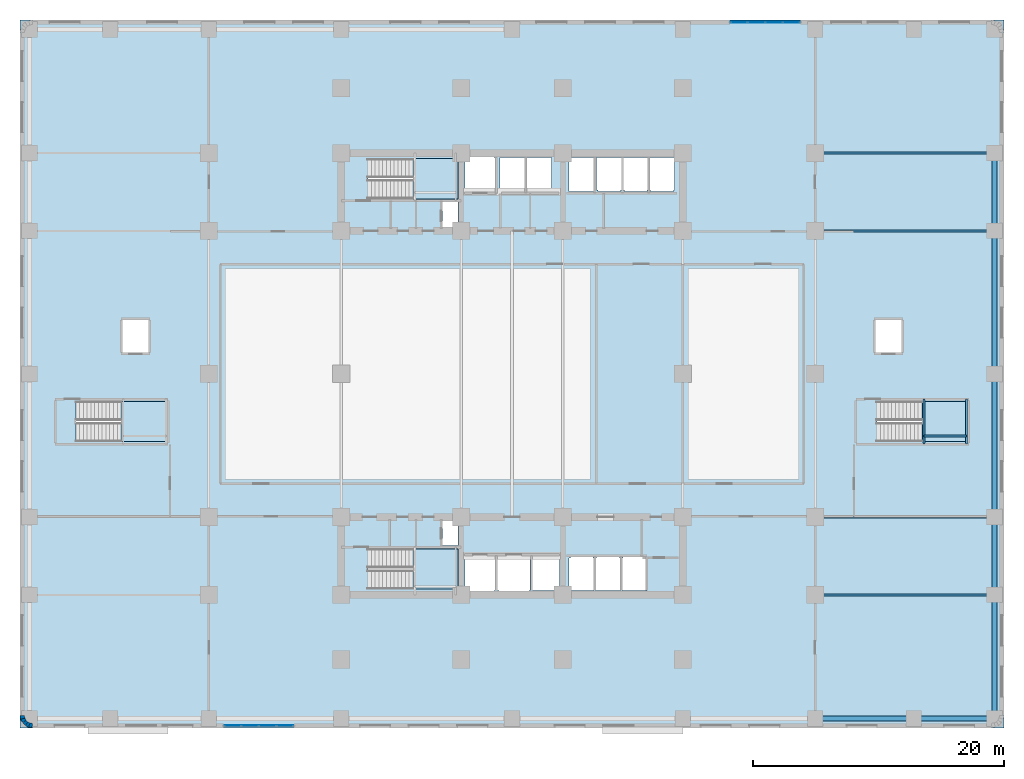
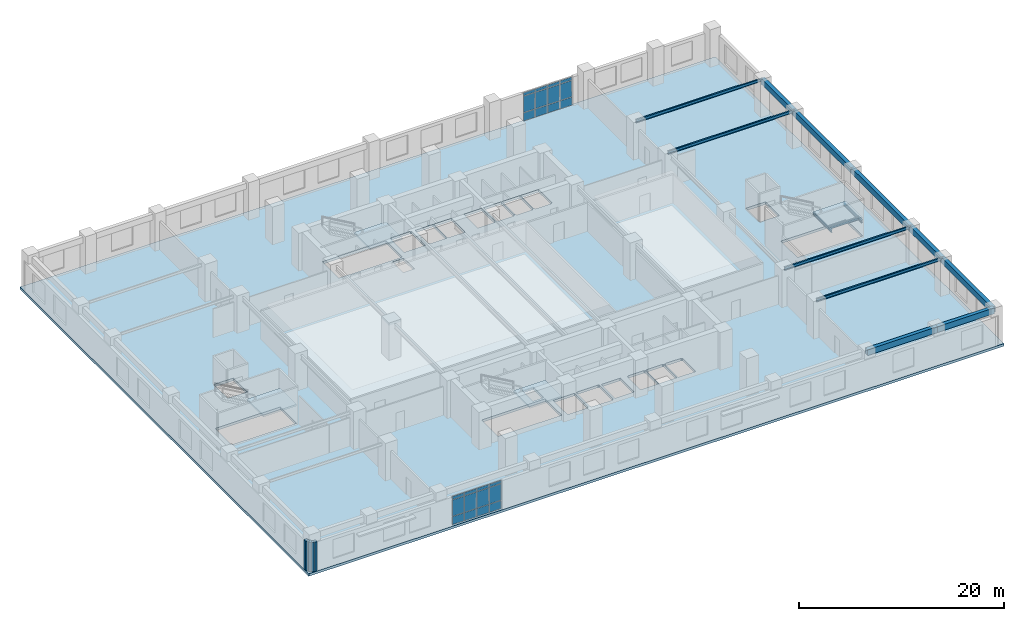
# One storey, part 5 of 14: 24 plates, 14 beams, 5 slabs, 5 walls, 6 elements without a shape of their own.
"""IFC4 building model written with IfcOpenShell, lengths in metres."""

from ifc_helpers import new_model, si_unit, direction, frame, frame_2d, origin, origin_2d, place, context, subcontext, project, spatial, polyline, rectangle, i_section, outline, extrude, material, layer, layer_set, material_profile, profile_set, type_object, element, aggregate, save


model = new_model("IFC4")

# Units and contexts
model_context = context("Model", 3, precision=1e-05, world=origin(), true_north=direction((0.0, 1.0)))
body_context = subcontext(model_context, "Body", "Model", "MODEL_VIEW")
ifc_project = project(units=[si_unit("LENGTHUNIT", "METRE"), si_unit("AREAUNIT", "SQUARE_METRE"), si_unit("VOLUMEUNIT", "CUBIC_METRE"), si_unit("PLANEANGLEUNIT", "RADIAN"), si_unit("MASSUNIT", "GRAM", prefix="KILO")], contexts=[model_context])

# Site, building, storey
site_placement = place(None, origin())
site = spatial("IfcSite", under=ifc_project, at=site_placement, CompositionType="ELEMENT")
building_placement = place(site_placement, origin())
building = spatial("IfcBuilding", under=site, at=building_placement, Name="Svetorya Sky Lyceum", CompositionType="ELEMENT")
storey_placement = place(building_placement, frame((0.0, 0.0, 15.60009765625)))
storey = spatial("IfcBuildingStorey", under=building, at=storey_placement, Name="L03", CompositionType="ELEMENT", Elevation=15.60009765625)

# Beams
ifc_material_1 = material(Name="Concrete C50/60", Category="concrete")
ifc_material_profile_1 = material_profile(ifc_material_1, rectangle(XDim=0.39990234375, YDim=0.699951171875, at=origin_2d()), Name="RC SPANDREL 400x700")
ifc_profile_set_1 = profile_set([ifc_material_profile_1], Name="Concrete C50/60")
beam_type_1 = type_object("IfcBeamType", Name="BM-SPN-700", PredefinedType="SPANDREL", material=ifc_profile_set_1)
beam_1_placement = place(storey_placement, frame((63.35009765625, 0.75, 3.849853515625), z_axis=(1.0, 0.0, 0.0), x_axis=(0.0, 1.0, 0.0)))
element("IfcBeam", 1, at=beam_1_placement, inside=storey, type_object=beam_type_1, Name="L03 Podium South Spandrel 7", PredefinedType="SPANDREL", context=body_context, shape_type="SweptSolid", body=[
    extrude(rectangle(XDim=0.39990234375, YDim=0.699951171875, at=origin_2d()), origin(), (0.0, 0.0, 1.0), 7.849853515625),
])
beam_2_placement = place(storey_placement, frame((71.199951171875, 0.75, 3.849853515625), z_axis=(1.0, 0.0, 0.0), x_axis=(0.0, 1.0, 0.0)))
element("IfcBeam", 2, at=beam_2_placement, inside=storey, type_object=beam_type_1, Name="L03 Podium South Spandrel 8", PredefinedType="SPANDREL", context=body_context, shape_type="SweptSolid", body=[
    extrude(rectangle(XDim=0.39990234375, YDim=0.699951171875, at=origin_2d()), origin(), (0.0, 0.0, 1.0), 6.449951171875),
])
beam_3_placement = place(storey_placement, frame((77.64990234375, 0.75, 3.849853515625), z_axis=(0.0, 1.0, 0.0), x_axis=(-1.0, 0.0, 0.0)))
element("IfcBeam", 3, at=beam_3_placement, inside=storey, type_object=beam_type_1, Name="L03 Podium East Spandrel 1", PredefinedType="SPANDREL", context=body_context, shape_type="SweptSolid", body=[
    extrude(rectangle(XDim=0.39990234375, YDim=0.699951171875, at=origin_2d()), origin(), (0.0, 0.0, 1.0), 9.85009765625),
])
beam_4_placement = place(storey_placement, frame((77.64990234375, 10.60009765625, 3.849853515625), z_axis=(0.0, 1.0, 0.0), x_axis=(-1.0, 0.0, 0.0)))
element("IfcBeam", 4, at=beam_4_placement, inside=storey, type_object=beam_type_1, Name="L03 Podium East Spandrel 2", PredefinedType="SPANDREL", context=body_context, shape_type="SweptSolid", body=[
    extrude(rectangle(XDim=0.39990234375, YDim=0.699951171875, at=origin_2d()), origin(), (0.0, 0.0, 1.0), 6.199951171875),
])
beam_5_placement = place(storey_placement, frame((77.64990234375, 16.800048828125, 3.849853515625), z_axis=(0.0, 1.0, 0.0), x_axis=(-1.0, 0.0, 0.0)))
element("IfcBeam", 5, at=beam_5_placement, inside=storey, type_object=beam_type_1, Name="L03 Podium East Spandrel 3", PredefinedType="SPANDREL", context=body_context, shape_type="SweptSolid", body=[
    extrude(rectangle(XDim=0.39990234375, YDim=0.699951171875, at=origin_2d()), origin(), (0.0, 0.0, 1.0), 11.39990234375),
])
beam_6_placement = place(storey_placement, frame((77.64990234375, 28.199951171875, 3.849853515625), z_axis=(0.0, 1.0, 0.0), x_axis=(-1.0, 0.0, 0.0)))
element("IfcBeam", 6, at=beam_6_placement, inside=storey, type_object=beam_type_1, Name="L03 Podium East Spandrel 4", PredefinedType="SPANDREL", context=body_context, shape_type="SweptSolid", body=[
    extrude(rectangle(XDim=0.39990234375, YDim=0.699951171875, at=origin_2d()), origin(), (0.0, 0.0, 1.0), 11.400146484375),
])
beam_7_placement = place(storey_placement, frame((77.64990234375, 39.60009765625, 3.849853515625), z_axis=(0.0, 1.0, 0.0), x_axis=(-1.0, 0.0, 0.0)))
element("IfcBeam", 7, at=beam_7_placement, inside=storey, type_object=beam_type_1, Name="L03 Podium East Spandrel 5", PredefinedType="SPANDREL", context=body_context, shape_type="SweptSolid", body=[
    extrude(rectangle(XDim=0.39990234375, YDim=0.699951171875, at=origin_2d()), origin(), (0.0, 0.0, 1.0), 6.199951171875),
])
ifc_material_2 = material(Name="Steel S355", Category="steel")
ifc_material_profile_2 = material_profile(ifc_material_2, i_section(OverallWidth=0.14990234375, OverallDepth=0.299072265625, WebThickness=0.006591796875, FlangeThickness=0.010498046875, at=origin_2d()), Name="GOST 30B2")
ifc_profile_set_2 = profile_set([ifc_material_profile_2], Name="Steel S355")
beam_type_2 = type_object("IfcBeamType", Name="BM-STL-30B2", PredefinedType="JOIST", material=ifc_profile_set_2)
for number, where, z_axis, x_axis, name in (
    (8, (72.030029296875, 22.60009765625, 1.900390625), (0.0, 1.0, 0.0), (-1.0, 0.0, 0.0), "L03 Stair ST-SCH-E Half-Landing Support Beam 4.1"),
    (9, (75.419921875, 22.60009765625, 1.900390625), (0.0, 1.0, 0.0), (-1.0, 0.0, 0.0), "L03 Stair ST-SCH-E Half-Landing Support Beam 4.2"),
):
    element("IfcBeam", number, at=place(storey_placement, frame(where, z_axis=z_axis, x_axis=x_axis)), inside=storey, type_object=beam_type_2, Name=name, PredefinedType="JOIST", context=body_context, shape_type="SweptSolid", body=[
        extrude(i_section(OverallWidth=0.14990234375, OverallDepth=0.299072265625, WebThickness=0.006591796875, FlangeThickness=0.010498046875, at=origin_2d()), origin(), (0.0, 0.0, 1.0), 3.599853515625),
    ])
beam_8_placement = place(storey_placement, frame((72.030029296875, 23.25, 1.900390625), z_axis=(1.0, 0.0, 0.0), x_axis=(0.0, 1.0, 0.0)))
element("IfcBeam", 10, at=beam_8_placement, inside=storey, type_object=beam_type_2, Name="L03 Stair ST-SCH-E Half-Landing Cross Tie 4", PredefinedType="JOIST", context=body_context, shape_type="SweptSolid", body=[
    extrude(i_section(OverallWidth=0.14990234375, OverallDepth=0.299072265625, WebThickness=0.006591796875, FlangeThickness=0.010498046875, at=origin_2d()), origin(), (0.0, 0.0, 1.0), 3.389892578125),
])
ifc_material_profile_3 = material_profile(ifc_material_2, i_section(OverallWidth=0.155029296875, OverallDepth=0.34912109375, WebThickness=0.007080078125, FlangeThickness=0.011474609375, at=origin_2d()), Name="GOST 35B2")
ifc_profile_set_3 = profile_set([ifc_material_profile_3], Name="Steel S355")
beam_type_3 = type_object("IfcBeamType", Name="BM-STL-35B2", PredefinedType="JOIST", material=ifc_profile_set_3)
for number, where, z_axis, x_axis, name in (
    (11, (63.35009765625, 10.60009765625, 4.025390625), (1.0, 0.0, 0.0), (0.0, 1.0, 0.0), "L03 Podium Wing Joist E1"),
    (12, (63.35009765625, 16.800048828125, 4.025390625), (1.0, 0.0, 0.0), (0.0, 1.0, 0.0), "L03 Podium Wing Joist E2"),
    (13, (63.35009765625, 39.60009765625, 4.025390625), (1.0, 0.0, 0.0), (0.0, 1.0, 0.0), "L03 Podium Wing Joist E3"),
    (14, (63.35009765625, 45.800048828125, 4.025390625), (1.0, 0.0, 0.0), (0.0, 1.0, 0.0), "L03 Podium Wing Joist E4"),
):
    element("IfcBeam", number, at=place(storey_placement, frame(where, z_axis=z_axis, x_axis=x_axis)), inside=storey, type_object=beam_type_3, Name=name, PredefinedType="JOIST", context=body_context, shape_type="SweptSolid", body=[
        extrude(i_section(OverallWidth=0.155029296875, OverallDepth=0.34912109375, WebThickness=0.007080078125, FlangeThickness=0.011474609375, at=origin_2d()), origin(), (0.0, 0.0, 1.0), 14.2998046875),
    ])

# Curtain wall, plates
ifc_material_3 = material(Name="Thermally broken anodized aluminium and triple low-E glass", Category="aluminium")
curtain_wall_type = type_object("IfcCurtainWallType", Name="CW2-SCH-RIB", PredefinedType="NOTDEFINED", material=ifc_material_3)
curtain_wall_1_placement = place(storey_placement, origin())
curtain_wall_1 = element("IfcCurtainWall", 15, at=curtain_wall_1_placement, inside=storey, type_object=curtain_wall_type, Name="L03 Lyceum Classroom Ribbon Curtain Wall 6", PredefinedType="NOTDEFINED")
ifc_material_4 = material(Name="Triple insulated low-E solar-control glass", Category="glass")
ifc_layer_1 = layer(ifc_material_4, 0.048095703125)
ifc_layer_set_1 = layer_set([ifc_layer_1], Name="Triple insulated low-E solar-control glass")
plate_type = type_object("IfcPlateType", Name="CWP-GLZ-48", PredefinedType="CURTAIN_PANEL", material=ifc_layer_set_1)
plate_1_placement = place(storey_placement, frame((16.9462890625, 0.179931640625, 0.0634765625), z_axis=(0.0, 0.0, 1.0), x_axis=(1.0, 0.0, 0.0)))
plate_1 = element("IfcPlate", 16, at=plate_1_placement, type_object=plate_type, Name="CW-2 panel 1.1", PredefinedType="CURTAIN_PANEL", context=body_context, shape_type="SweptSolid", body=[
    extrude(rectangle(XDim=1.305419921875, YDim=0.048095703125, at=origin_2d()), origin(), (0.0, 0.0, 1.0), 0.949462890625),
])
plate_2_placement = place(storey_placement, frame((16.9462890625, 0.179931640625, 1.07470703125), z_axis=(0.0, 0.0, 1.0), x_axis=(1.0, 0.0, 0.0)))
plate_2 = element("IfcPlate", 17, at=plate_2_placement, type_object=plate_type, Name="CW-2 panel 1.2", PredefinedType="CURTAIN_PANEL", context=body_context, shape_type="SweptSolid", body=[
    extrude(rectangle(XDim=1.305419921875, YDim=0.048095703125, at=origin_2d()), origin(), (0.0, 0.0, 1.0), 1.924072265625),
])
plate_3_placement = place(storey_placement, frame((16.9462890625, 0.179931640625, 3.06103515625), z_axis=(0.0, 0.0, 1.0), x_axis=(1.0, 0.0, 0.0)))
plate_3 = element("IfcPlate", 18, at=plate_3_placement, type_object=plate_type, Name="CW-2 panel 1.3", PredefinedType="CURTAIN_PANEL", context=body_context, shape_type="SweptSolid", body=[
    extrude(rectangle(XDim=1.305419921875, YDim=0.048095703125, at=origin_2d()), origin(), (0.0, 0.0, 1.0), 0.35546875),
])
plate_4_placement = place(storey_placement, frame((18.330078125, 0.179931640625, 0.0634765625), z_axis=(0.0, 0.0, 1.0), x_axis=(1.0, 0.0, 0.0)))
plate_4 = element("IfcPlate", 19, at=plate_4_placement, type_object=plate_type, Name="CW-2 panel 2.1", PredefinedType="CURTAIN_PANEL", context=body_context, shape_type="SweptSolid", body=[
    extrude(rectangle(XDim=1.337890625, YDim=0.048095703125, at=origin_2d()), origin(), (0.0, 0.0, 1.0), 0.949462890625),
])
plate_5_placement = place(storey_placement, frame((18.330078125, 0.179931640625, 1.07470703125), z_axis=(0.0, 0.0, 1.0), x_axis=(1.0, 0.0, 0.0)))
plate_5 = element("IfcPlate", 20, at=plate_5_placement, type_object=plate_type, Name="CW-2 panel 2.2", PredefinedType="CURTAIN_PANEL", context=body_context, shape_type="SweptSolid", body=[
    extrude(rectangle(XDim=1.337890625, YDim=0.048095703125, at=origin_2d()), origin(), (0.0, 0.0, 1.0), 1.924072265625),
])
plate_6_placement = place(storey_placement, frame((18.330078125, 0.179931640625, 3.06103515625), z_axis=(0.0, 0.0, 1.0), x_axis=(1.0, 0.0, 0.0)))
plate_6 = element("IfcPlate", 21, at=plate_6_placement, type_object=plate_type, Name="CW-2 panel 2.3", PredefinedType="CURTAIN_PANEL", context=body_context, shape_type="SweptSolid", body=[
    extrude(rectangle(XDim=1.337890625, YDim=0.048095703125, at=origin_2d()), origin(), (0.0, 0.0, 1.0), 0.35546875),
])
plate_7_placement = place(storey_placement, frame((19.72998046875, 0.179931640625, 0.0634765625), z_axis=(0.0, 0.0, 1.0), x_axis=(1.0, 0.0, 0.0)))
plate_7 = element("IfcPlate", 22, at=plate_7_placement, type_object=plate_type, Name="CW-2 panel 3.1", PredefinedType="CURTAIN_PANEL", context=body_context, shape_type="SweptSolid", body=[
    extrude(rectangle(XDim=1.337890625, YDim=0.048095703125, at=origin_2d()), origin(), (0.0, 0.0, 1.0), 0.949462890625),
])
plate_8_placement = place(storey_placement, frame((19.72998046875, 0.179931640625, 1.07470703125), z_axis=(0.0, 0.0, 1.0), x_axis=(1.0, 0.0, 0.0)))
plate_8 = element("IfcPlate", 23, at=plate_8_placement, type_object=plate_type, Name="CW-2 panel 3.2", PredefinedType="CURTAIN_PANEL", context=body_context, shape_type="SweptSolid", body=[
    extrude(rectangle(XDim=1.337890625, YDim=0.048095703125, at=origin_2d()), origin(), (0.0, 0.0, 1.0), 1.924072265625),
])
plate_9_placement = place(storey_placement, frame((19.72998046875, 0.179931640625, 3.06103515625), z_axis=(0.0, 0.0, 1.0), x_axis=(1.0, 0.0, 0.0)))
plate_9 = element("IfcPlate", 24, at=plate_9_placement, type_object=plate_type, Name="CW-2 panel 3.3", PredefinedType="CURTAIN_PANEL", context=body_context, shape_type="SweptSolid", body=[
    extrude(rectangle(XDim=1.337890625, YDim=0.048095703125, at=origin_2d()), origin(), (0.0, 0.0, 1.0), 0.35546875),
])
plate_10_placement = place(storey_placement, frame((21.11376953125, 0.179931640625, 0.0634765625), z_axis=(0.0, 0.0, 1.0), x_axis=(1.0, 0.0, 0.0)))
plate_10 = element("IfcPlate", 25, at=plate_10_placement, type_object=plate_type, Name="CW-2 panel 4.1", PredefinedType="CURTAIN_PANEL", context=body_context, shape_type="SweptSolid", body=[
    extrude(rectangle(XDim=1.305419921875, YDim=0.048095703125, at=origin_2d()), origin(), (0.0, 0.0, 1.0), 0.949462890625),
])
plate_11_placement = place(storey_placement, frame((21.11376953125, 0.179931640625, 1.07470703125), z_axis=(0.0, 0.0, 1.0), x_axis=(1.0, 0.0, 0.0)))
plate_11 = element("IfcPlate", 26, at=plate_11_placement, type_object=plate_type, Name="CW-2 panel 4.2", PredefinedType="CURTAIN_PANEL", context=body_context, shape_type="SweptSolid", body=[
    extrude(rectangle(XDim=1.305419921875, YDim=0.048095703125, at=origin_2d()), origin(), (0.0, 0.0, 1.0), 1.924072265625),
])
plate_12_placement = place(storey_placement, frame((21.11376953125, 0.179931640625, 3.06103515625), z_axis=(0.0, 0.0, 1.0), x_axis=(1.0, 0.0, 0.0)))
plate_12 = element("IfcPlate", 27, at=plate_12_placement, type_object=plate_type, Name="CW-2 panel 4.3", PredefinedType="CURTAIN_PANEL", context=body_context, shape_type="SweptSolid", body=[
    extrude(rectangle(XDim=1.305419921875, YDim=0.048095703125, at=origin_2d()), origin(), (0.0, 0.0, 1.0), 0.35546875),
])
aggregate(curtain_wall_1, [plate_1, plate_2, plate_3, plate_4, plate_5, plate_6, plate_7, plate_8, plate_9, plate_10, plate_11, plate_12])

curtain_wall_2_placement = place(storey_placement, origin())
curtain_wall_2 = element("IfcCurtainWall", 28, at=curtain_wall_2_placement, inside=storey, type_object=curtain_wall_type, Name="L03 Lyceum Classroom Ribbon Curtain Wall 18", PredefinedType="NOTDEFINED")
plate_13_placement = place(storey_placement, frame((61.453857421875, 56.219970703125, 0.0634765625), z_axis=(0.0, 0.0, 1.0), x_axis=(-1.0, 0.0, 0.0)))
plate_13 = element("IfcPlate", 29, at=plate_13_placement, type_object=plate_type, Name="CW-2 panel 1.1", PredefinedType="CURTAIN_PANEL", context=body_context, shape_type="SweptSolid", body=[
    extrude(rectangle(XDim=1.305419921875, YDim=0.048095703125, at=origin_2d()), origin(), (0.0, 0.0, 1.0), 0.949462890625),
])
plate_14_placement = place(storey_placement, frame((61.453857421875, 56.219970703125, 1.07470703125), z_axis=(0.0, 0.0, 1.0), x_axis=(-1.0, 0.0, 0.0)))
plate_14 = element("IfcPlate", 30, at=plate_14_placement, type_object=plate_type, Name="CW-2 panel 1.2", PredefinedType="CURTAIN_PANEL", context=body_context, shape_type="SweptSolid", body=[
    extrude(rectangle(XDim=1.305419921875, YDim=0.048095703125, at=origin_2d()), origin(), (0.0, 0.0, 1.0), 1.924072265625),
])
plate_15_placement = place(storey_placement, frame((61.453857421875, 56.219970703125, 3.06103515625), z_axis=(0.0, 0.0, 1.0), x_axis=(-1.0, 0.0, 0.0)))
plate_15 = element("IfcPlate", 31, at=plate_15_placement, type_object=plate_type, Name="CW-2 panel 1.3", PredefinedType="CURTAIN_PANEL", context=body_context, shape_type="SweptSolid", body=[
    extrude(rectangle(XDim=1.305419921875, YDim=0.048095703125, at=origin_2d()), origin(), (0.0, 0.0, 1.0), 0.35546875),
])
plate_16_placement = place(storey_placement, frame((60.070068359375, 56.219970703125, 0.0634765625), z_axis=(0.0, 0.0, 1.0), x_axis=(-1.0, 0.0, 0.0)))
plate_16 = element("IfcPlate", 32, at=plate_16_placement, type_object=plate_type, Name="CW-2 panel 2.1", PredefinedType="CURTAIN_PANEL", context=body_context, shape_type="SweptSolid", body=[
    extrude(rectangle(XDim=1.337890625, YDim=0.048095703125, at=origin_2d()), origin(), (0.0, 0.0, 1.0), 0.949462890625),
])
plate_17_placement = place(storey_placement, frame((60.070068359375, 56.219970703125, 1.07470703125), z_axis=(0.0, 0.0, 1.0), x_axis=(-1.0, 0.0, 0.0)))
plate_17 = element("IfcPlate", 33, at=plate_17_placement, type_object=plate_type, Name="CW-2 panel 2.2", PredefinedType="CURTAIN_PANEL", context=body_context, shape_type="SweptSolid", body=[
    extrude(rectangle(XDim=1.337890625, YDim=0.048095703125, at=origin_2d()), origin(), (0.0, 0.0, 1.0), 1.924072265625),
])
plate_18_placement = place(storey_placement, frame((60.070068359375, 56.219970703125, 3.06103515625), z_axis=(0.0, 0.0, 1.0), x_axis=(-1.0, 0.0, 0.0)))
plate_18 = element("IfcPlate", 34, at=plate_18_placement, type_object=plate_type, Name="CW-2 panel 2.3", PredefinedType="CURTAIN_PANEL", context=body_context, shape_type="SweptSolid", body=[
    extrude(rectangle(XDim=1.337890625, YDim=0.048095703125, at=origin_2d()), origin(), (0.0, 0.0, 1.0), 0.35546875),
])
plate_19_placement = place(storey_placement, frame((58.669921875, 56.219970703125, 0.0634765625), z_axis=(0.0, 0.0, 1.0), x_axis=(-1.0, 0.0, 0.0)))
plate_19 = element("IfcPlate", 35, at=plate_19_placement, type_object=plate_type, Name="CW-2 panel 3.1", PredefinedType="CURTAIN_PANEL", context=body_context, shape_type="SweptSolid", body=[
    extrude(rectangle(XDim=1.337890625, YDim=0.048095703125, at=origin_2d()), origin(), (0.0, 0.0, 1.0), 0.949462890625),
])
plate_20_placement = place(storey_placement, frame((58.669921875, 56.219970703125, 1.07470703125), z_axis=(0.0, 0.0, 1.0), x_axis=(-1.0, 0.0, 0.0)))
plate_20 = element("IfcPlate", 36, at=plate_20_placement, type_object=plate_type, Name="CW-2 panel 3.2", PredefinedType="CURTAIN_PANEL", context=body_context, shape_type="SweptSolid", body=[
    extrude(rectangle(XDim=1.337890625, YDim=0.048095703125, at=origin_2d()), origin(), (0.0, 0.0, 1.0), 1.924072265625),
])
plate_21_placement = place(storey_placement, frame((58.669921875, 56.219970703125, 3.06103515625), z_axis=(0.0, 0.0, 1.0), x_axis=(-1.0, 0.0, 0.0)))
plate_21 = element("IfcPlate", 37, at=plate_21_placement, type_object=plate_type, Name="CW-2 panel 3.3", PredefinedType="CURTAIN_PANEL", context=body_context, shape_type="SweptSolid", body=[
    extrude(rectangle(XDim=1.337890625, YDim=0.048095703125, at=origin_2d()), origin(), (0.0, 0.0, 1.0), 0.35546875),
])
plate_22_placement = place(storey_placement, frame((57.2861328125, 56.219970703125, 0.0634765625), z_axis=(0.0, 0.0, 1.0), x_axis=(-1.0, 0.0, 0.0)))
plate_22 = element("IfcPlate", 38, at=plate_22_placement, type_object=plate_type, Name="CW-2 panel 4.1", PredefinedType="CURTAIN_PANEL", context=body_context, shape_type="SweptSolid", body=[
    extrude(rectangle(XDim=1.305419921875, YDim=0.048095703125, at=origin_2d()), origin(), (0.0, 0.0, 1.0), 0.949462890625),
])
plate_23_placement = place(storey_placement, frame((57.2861328125, 56.219970703125, 1.07470703125), z_axis=(0.0, 0.0, 1.0), x_axis=(-1.0, 0.0, 0.0)))
plate_23 = element("IfcPlate", 39, at=plate_23_placement, type_object=plate_type, Name="CW-2 panel 4.2", PredefinedType="CURTAIN_PANEL", context=body_context, shape_type="SweptSolid", body=[
    extrude(rectangle(XDim=1.305419921875, YDim=0.048095703125, at=origin_2d()), origin(), (0.0, 0.0, 1.0), 1.924072265625),
])
plate_24_placement = place(storey_placement, frame((57.2861328125, 56.219970703125, 3.06103515625), z_axis=(0.0, 0.0, 1.0), x_axis=(-1.0, 0.0, 0.0)))
plate_24 = element("IfcPlate", 40, at=plate_24_placement, type_object=plate_type, Name="CW-2 panel 4.3", PredefinedType="CURTAIN_PANEL", context=body_context, shape_type="SweptSolid", body=[
    extrude(rectangle(XDim=1.305419921875, YDim=0.048095703125, at=origin_2d()), origin(), (0.0, 0.0, 1.0), 0.35546875),
])
aggregate(curtain_wall_2, [plate_13, plate_14, plate_15, plate_16, plate_17, plate_18, plate_19, plate_20, plate_21, plate_22, plate_23, plate_24])

# Slab
ifc_material_5 = material(Name="Concrete C40/50", Category="concrete")
ifc_layer_2 = layer(ifc_material_5, 0.300048828125)
ifc_layer_set_2 = layer_set([ifc_layer_2], Name="Concrete C40/50")
slab_type_1 = type_object("IfcSlabType", Name="SL-POD-300", PredefinedType="FLOOR", material=ifc_layer_set_2)
slab_1_placement = place(storey_placement, frame((0.0, 0.0, -0.300048828125)))
element("IfcSlab", 41, at=slab_1_placement, inside=storey, type_object=slab_type_1, Name="L03 Structural Floor Slab", PredefinedType="FLOOR", context=body_context, shape_type="SweptSolid", body=[
    extrude(outline(polyline([(0.0, 0.0), (78.39990234375, 0.0), (78.39990234375, 56.39990234375), (0.0, 56.39990234375), (0.0, 0.0)]), holes=[polyline([(40.64990234375, 10.949951171875), (40.550048828125, 10.949951171875), (40.550048828125, 10.800048828125), (38.14990234375, 10.800048828125), (38.14990234375, 10.949951171875), (38.050048828125, 10.949951171875), (38.050048828125, 13.64990234375), (38.14990234375, 13.64990234375), (38.14990234375, 13.699951171875), (40.550048828125, 13.699951171875), (40.550048828125, 13.64990234375), (40.64990234375, 13.64990234375), (40.64990234375, 10.949951171875)]), polyline([(35.550048828125, 10.949951171875), (35.449951171875, 10.949951171875), (35.449951171875, 13.64990234375), (35.550048828125, 13.64990234375), (37.75, 13.64990234375), (37.85009765625, 13.64990234375), (37.85009765625, 10.949951171875), (37.75, 10.949951171875), (37.75, 10.85009765625), (35.550048828125, 10.85009765625), (35.550048828125, 10.949951171875)]), polyline([(40.85009765625, 13.64990234375), (43.0, 13.64990234375), (43.0, 10.949951171875), (40.85009765625, 10.949951171875), (40.85009765625, 13.64990234375)]), polyline([(27.719970703125, 14.25), (34.89990234375, 14.25), (34.89990234375, 11.050048828125), (27.719970703125, 11.050048828125), (27.719970703125, 14.25)]), polyline([(33.64990234375, 16.580078125), (34.89990234375, 16.580078125), (34.89990234375, 14.52001953125), (33.64990234375, 14.52001953125), (33.64990234375, 16.580078125)]), polyline([(4.469970703125, 26.0), (11.800048828125, 26.0), (11.800048828125, 22.800048828125), (4.469970703125, 22.800048828125), (4.469970703125, 26.0)]), polyline([(8.10009765625, 32.550048828125), (10.300048828125, 32.550048828125), (10.300048828125, 29.85009765625), (8.10009765625, 29.85009765625), (8.10009765625, 32.550048828125)]), polyline([(33.64990234375, 41.89990234375), (34.89990234375, 41.89990234375), (34.89990234375, 39.820068359375), (33.64990234375, 39.820068359375), (33.64990234375, 41.89990234375)]), polyline([(27.719970703125, 45.35009765625), (34.89990234375, 45.35009765625), (34.89990234375, 42.14990234375), (27.719970703125, 42.14990234375), (27.719970703125, 45.35009765625)]), polyline([(37.75, 45.449951171875), (37.85009765625, 45.449951171875), (37.85009765625, 42.75), (37.75, 42.75), (35.550048828125, 42.75), (35.449951171875, 42.75), (35.449951171875, 45.449951171875), (35.550048828125, 45.449951171875), (35.550048828125, 45.550048828125), (37.75, 45.550048828125), (37.75, 45.449951171875)]), polyline([(40.199951171875, 42.85009765625), (40.199951171875, 42.75), (38.39990234375, 42.75), (38.39990234375, 42.85009765625), (38.25, 42.85009765625), (38.25, 45.449951171875), (38.39990234375, 45.449951171875), (40.199951171875, 45.449951171875), (40.25, 45.449951171875), (40.25, 42.85009765625), (40.199951171875, 42.85009765625)]), polyline([(40.39990234375, 42.85009765625), (40.35009765625, 42.85009765625), (40.35009765625, 45.449951171875), (40.39990234375, 45.449951171875), (42.300048828125, 45.449951171875), (42.35009765625, 45.449951171875), (42.35009765625, 42.85009765625), (42.300048828125, 42.85009765625), (42.300048828125, 42.75), (40.39990234375, 42.75), (40.39990234375, 42.85009765625)]), polyline([(43.85009765625, 10.949951171875), (43.75, 10.949951171875), (43.75, 13.550048828125), (43.85009765625, 13.550048828125), (43.85009765625, 13.60009765625), (45.64990234375, 13.60009765625), (45.64990234375, 13.550048828125), (45.75, 13.550048828125), (45.75, 10.949951171875), (45.64990234375, 10.949951171875), (43.85009765625, 10.949951171875)]), polyline([(48.050048828125, 10.949951171875), (47.949951171875, 10.949951171875), (47.949951171875, 13.550048828125), (48.050048828125, 13.550048828125), (48.050048828125, 13.60009765625), (49.85009765625, 13.60009765625), (49.85009765625, 13.550048828125), (49.949951171875, 13.550048828125), (49.949951171875, 10.949951171875), (49.85009765625, 10.949951171875), (48.050048828125, 10.949951171875)]), polyline([(45.949951171875, 10.949951171875), (45.85009765625, 10.949951171875), (45.85009765625, 13.550048828125), (45.949951171875, 13.550048828125), (45.949951171875, 13.60009765625), (47.75, 13.60009765625), (47.75, 13.550048828125), (47.85009765625, 13.550048828125), (47.85009765625, 10.949951171875), (47.75, 10.949951171875), (45.949951171875, 10.949951171875)]), polyline([(75.60009765625, 26.0), (75.60009765625, 22.800048828125), (68.27001953125, 22.800048828125), (68.27001953125, 26.0), (75.60009765625, 26.0)]), polyline([(70.300048828125, 32.550048828125), (70.300048828125, 29.85009765625), (68.10009765625, 29.85009765625), (68.10009765625, 32.550048828125), (70.300048828125, 32.550048828125)]), polyline([(46.050048828125, 42.85009765625), (45.949951171875, 42.85009765625), (45.949951171875, 45.449951171875), (46.050048828125, 45.449951171875), (47.85009765625, 45.449951171875), (47.949951171875, 45.449951171875), (47.949951171875, 42.85009765625), (47.85009765625, 42.85009765625), (47.85009765625, 42.75), (46.050048828125, 42.75), (46.050048828125, 42.85009765625)]), polyline([(43.75, 42.85009765625), (43.75, 45.449951171875), (45.699951171875, 45.449951171875), (45.75, 45.449951171875), (45.75, 42.85009765625), (45.699951171875, 42.85009765625), (45.699951171875, 42.75), (43.75, 42.75), (43.75, 42.85009765625)]), polyline([(48.14990234375, 42.85009765625), (48.050048828125, 42.85009765625), (48.050048828125, 45.449951171875), (48.14990234375, 45.449951171875), (49.949951171875, 45.449951171875), (50.050048828125, 45.449951171875), (50.050048828125, 42.85009765625), (49.949951171875, 42.85009765625), (49.949951171875, 42.75), (48.14990234375, 42.75), (48.14990234375, 42.85009765625)]), polyline([(52.050048828125, 42.85009765625), (52.050048828125, 42.75), (50.25, 42.75), (50.25, 42.85009765625), (50.14990234375, 42.85009765625), (50.14990234375, 45.449951171875), (50.25, 45.449951171875), (52.050048828125, 45.449951171875), (52.14990234375, 45.449951171875), (52.14990234375, 42.85009765625), (52.050048828125, 42.85009765625)])]), origin(), (0.0, 0.0, 1.0), 0.300048828125),
])

# Stair, slab
stair_type_1 = type_object("IfcStairType", Name="STR-ST-S", PredefinedType="HALF_TURN_STAIR", material=ifc_material_5)
stair_1_placement = place(storey_placement, origin())
stair_1 = element("IfcStair", 42, at=stair_1_placement, inside=storey, type_object=stair_type_1, Name="L03 South Core Smoke-Free Exit Stair N2", PredefinedType="HALF_TURN_STAIR")
ifc_layer_3 = layer(ifc_material_5, 0.199951171875)
ifc_layer_set_3 = layer_set([ifc_layer_3], Name="Concrete C40/50")
slab_type_2 = type_object("IfcSlabType", Name="SL-STR-LAND-200", PredefinedType="LANDING", material=ifc_layer_set_3)
slab_2_placement = place(storey_placement, frame((0.0, 0.0, 2.0498046875)))
slab_2 = element("IfcSlab", 43, at=slab_2_placement, type_object=slab_type_2, Name="ST-S landing 1", PredefinedType="LANDING", context=body_context, shape_type="SweptSolid", body=[
    extrude(outline(polyline([(31.300048828125, 11.050048828125), (34.89990234375, 11.050048828125), (34.89990234375, 14.25), (31.300048828125, 14.25), (31.300048828125, 11.050048828125)])), origin(), (0.0, 0.0, 1.0), 0.2001953125),
])
aggregate(stair_1, [slab_2])

stair_type_2 = type_object("IfcStairType", Name="STR-ST-N", PredefinedType="HALF_TURN_STAIR", material=ifc_material_5)
stair_2_placement = place(storey_placement, origin())
stair_2 = element("IfcStair", 44, at=stair_2_placement, inside=storey, type_object=stair_type_2, Name="L03 North Core Smoke-Free Exit Stair N3", PredefinedType="HALF_TURN_STAIR")
slab_3_placement = place(storey_placement, frame((0.0, 0.0, 2.0498046875)))
slab_3 = element("IfcSlab", 45, at=slab_3_placement, type_object=slab_type_2, Name="ST-N landing 1", PredefinedType="LANDING", context=body_context, shape_type="SweptSolid", body=[
    extrude(outline(polyline([(31.300048828125, 42.14990234375), (34.89990234375, 42.14990234375), (34.89990234375, 45.35009765625), (31.300048828125, 45.35009765625), (31.300048828125, 42.14990234375)])), origin(), (0.0, 0.0, 1.0), 0.2001953125),
])
aggregate(stair_2, [slab_3])

stair_type_3 = type_object("IfcStairType", Name="STR-ST-SCH-W", PredefinedType="HALF_TURN_STAIR", material=ifc_material_5)
stair_3_placement = place(storey_placement, origin())
stair_3 = element("IfcStair", 46, at=stair_3_placement, inside=storey, type_object=stair_type_3, Name="L03 West Lyceum Podium Dedicated Stair", PredefinedType="HALF_TURN_STAIR")
slab_4_placement = place(storey_placement, frame((0.0, 0.0, 2.0498046875)))
slab_4 = element("IfcSlab", 47, at=slab_4_placement, type_object=slab_type_2, Name="ST-SCH-W landing 1", PredefinedType="LANDING", context=body_context, shape_type="SweptSolid", body=[
    extrude(outline(polyline([(8.050048828125, 22.800048828125), (11.800048828125, 22.800048828125), (11.800048828125, 26.0), (8.050048828125, 26.0), (8.050048828125, 22.800048828125)])), origin(), (0.0, 0.0, 1.0), 0.2001953125),
])
aggregate(stair_3, [slab_4])

stair_type_4 = type_object("IfcStairType", Name="STR-ST-SCH-E", PredefinedType="HALF_TURN_STAIR", material=ifc_material_5)
stair_4_placement = place(storey_placement, origin())
stair_4 = element("IfcStair", 48, at=stair_4_placement, inside=storey, type_object=stair_type_4, Name="L03 East Lyceum Podium Dedicated Stair", PredefinedType="HALF_TURN_STAIR")
slab_5_placement = place(storey_placement, frame((0.0, 0.0, 2.0498046875)))
slab_5 = element("IfcSlab", 49, at=slab_5_placement, type_object=slab_type_2, Name="ST-SCH-E landing 1", PredefinedType="LANDING", context=body_context, shape_type="SweptSolid", body=[
    extrude(outline(polyline([(71.85009765625, 22.800048828125), (75.60009765625, 22.800048828125), (75.60009765625, 26.0), (71.85009765625, 26.0), (71.85009765625, 22.800048828125)])), origin(), (0.0, 0.0, 1.0), 0.2001953125),
])
aggregate(stair_4, [slab_5])

# Walls
ifc_material_6 = material(Name="Putilovo limestone rainscreen on autoclaved cellular masonry", Category="masonry")
ifc_layer_4 = layer(ifc_material_6, 0.360107421875)
ifc_layer_set_4 = layer_set([ifc_layer_4], Name="Putilovo limestone rainscreen on autoclaved cellular masonry")
wall_type = type_object("IfcWallType", Name="WL-EXT-360", PredefinedType="SOLIDWALL", material=ifc_layer_set_4)
for number, where, z_axis, x_axis, name in (
    (50, (0.179931640625, 0.97998046875, 0.0), (0.0, 0.0, 1.0), (0.157115048735, -0.987580306335, 0.0), "L03 Limestone Exterior Wall 1M"),
    (51, (0.21923828125, 0.73291015625, 0.0), (0.0, 0.0, 1.0), (0.453443653591, -0.891284944907, 0.0), "L03 Limestone Exterior Wall 2M"),
    (52, (0.332763671875, 0.509765625, 0.0), (0.0, 0.0, 1.0), (0.707106781187, -0.707106781187, 0.0), "L03 Limestone Exterior Wall 3M"),
    (53, (0.509765625, 0.332763671875, 0.0), (0.0, 0.0, 1.0), (0.891284944907, -0.453443653591, 0.0), "L03 Limestone Exterior Wall 4M"),
    (54, (0.73291015625, 0.21923828125, 0.0), (0.0, 0.0, 1.0), (0.987580306335, -0.157115048735, 0.0), "L03 Limestone Exterior Wall 5M"),
):
    element("IfcWall", number, at=place(storey_placement, frame(where, z_axis=z_axis, x_axis=x_axis)), inside=storey, type_object=wall_type, Name=name, PredefinedType="SOLIDWALL", context=body_context, shape_type="SweptSolid", body=[
        extrude(rectangle(XDim=0.250244140625, YDim=0.360107421875, at=frame_2d((0.125, 0.0))), origin(), (0.0, 0.0, 1.0), 3.47998046875),
    ])

save(model, "model.ifc")
